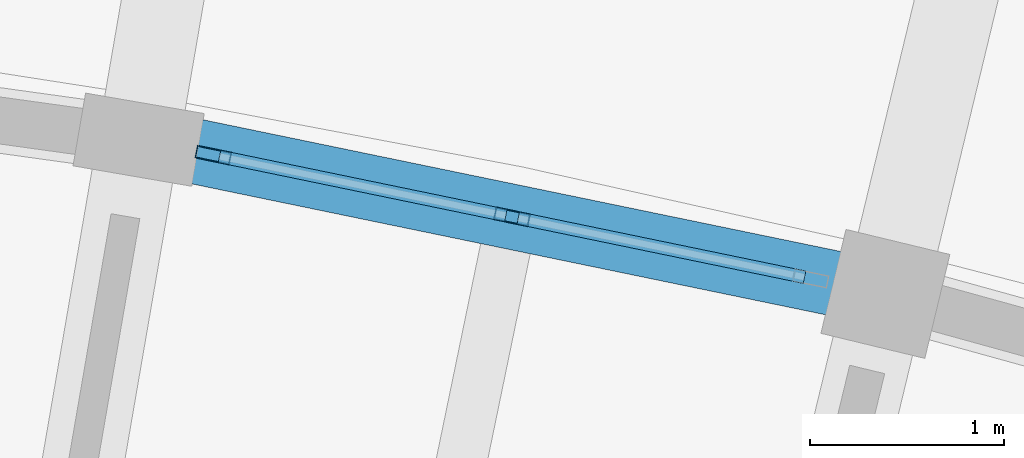
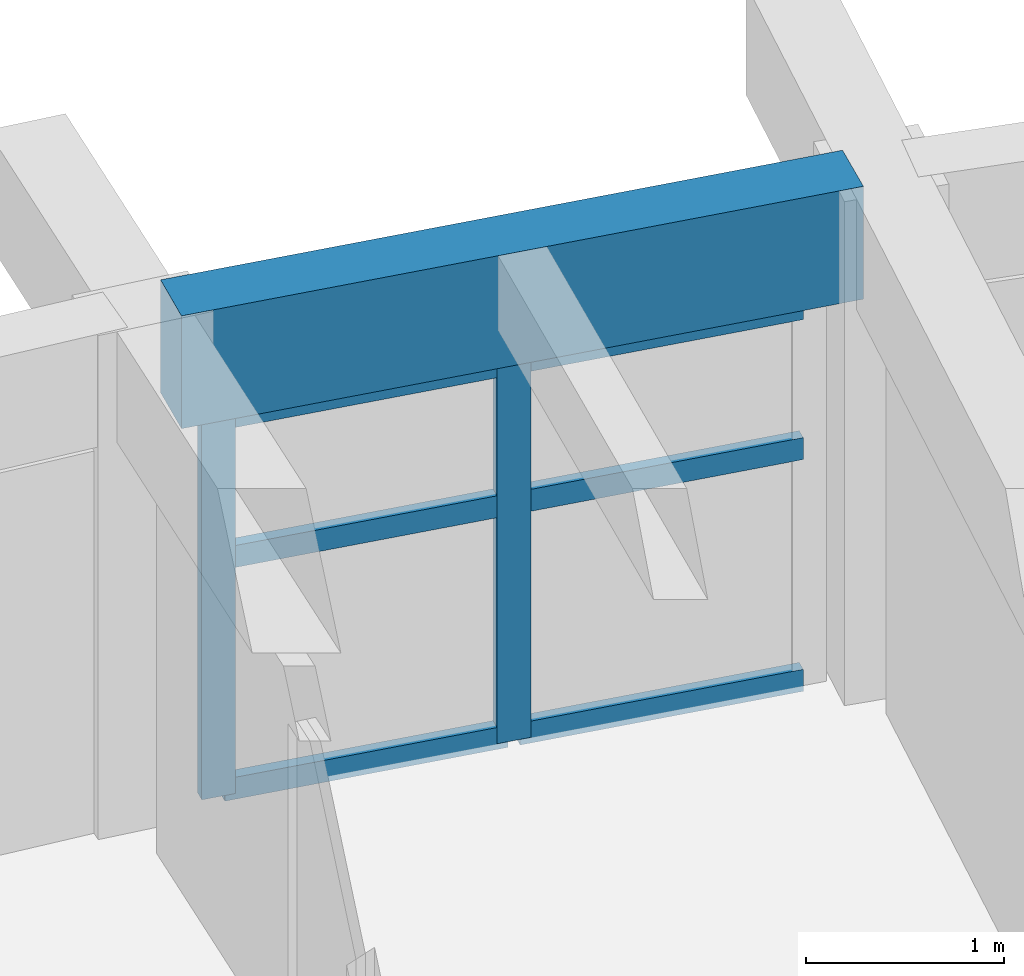
# One storey, part 25 of 96: 8 members, 1 beam, 1 element without a shape of its own.
"""IFC4 building model written with IfcOpenShell, lengths in metres."""

from ifc_helpers import new_model, si_unit, direction, frame, origin, origin_2d, place, context, subcontext, project, spatial, rectangle, hollow_rectangle, extrude, material, material_profile, profile_set, type_object, element, aggregate, save


model = new_model("IFC4")

# Units and contexts
model_context = context("Model", 3, precision=1e-05, world=origin(), true_north=direction((0.0, 1.0)))
body_context = subcontext(model_context, "Body", "Model", "MODEL_VIEW")
ifc_project = project(units=[si_unit("LENGTHUNIT", "METRE"), si_unit("AREAUNIT", "SQUARE_METRE"), si_unit("VOLUMEUNIT", "CUBIC_METRE"), si_unit("PLANEANGLEUNIT", "RADIAN"), si_unit("MASSUNIT", "GRAM", prefix="KILO")], contexts=[model_context])

# Site, building, storey
site_placement = place(None, origin())
site = spatial("IfcSite", under=ifc_project, at=site_placement, CompositionType="ELEMENT")
building_placement = place(site_placement, origin())
building = spatial("IfcBuilding", under=site, at=building_placement, Name="Tanwirah Colonnade Gardens", CompositionType="ELEMENT")
storey_placement = place(building_placement, frame((0.0, 0.0, 12.199951171875)))
storey = spatial("IfcBuildingStorey", under=building, at=storey_placement, Name="L03", CompositionType="ELEMENT", Elevation=12.199951171875)

# Curtain wall, members
ifc_material_1 = material(Name="Bronze-anodised aluminium and solar-control low-E glass", Category="aluminium")
curtain_wall_type = type_object("IfcCurtainWallType", Name="CW-LOB", PredefinedType="NOTDEFINED", material=ifc_material_1)
curtain_wall_placement = place(storey_placement, origin())
curtain_wall = element("IfcCurtainWall", 1, at=curtain_wall_placement, inside=storey, type_object=curtain_wall_type, Name="Curtain Wall CW-B-L03-OUT-16", PredefinedType="NOTDEFINED")
ifc_material_2 = material(Name="Bronze-anodised aluminium", Category="aluminium")
ifc_material_profile_1 = material_profile(ifc_material_2, hollow_rectangle(XDim=0.06494140625, YDim=0.179931640625, WallThickness=0.00390625, at=origin_2d()), Name="CW-MUL 65x180x4")
ifc_profile_set_1 = profile_set([ifc_material_profile_1], Name="Bronze-anodised aluminium")
member_type_1 = type_object("IfcMemberType", Name="CWM-65x180", PredefinedType="MULLION", material=ifc_profile_set_1)
member_1_placement = place(storey_placement, frame((133.035400390625, 118.488037109375, 0.0), z_axis=(0.0, 0.0, 1.0), x_axis=(-0.202218047772, -0.979340523595, 0.0)))
member_1 = element("IfcMember", 2, at=member_1_placement, type_object=member_type_1, Name="CW-LOB mullion 2", PredefinedType="MULLION", context=body_context, shape_type="SweptSolid", body=[
    extrude(hollow_rectangle(XDim=0.06494140625, YDim=0.179931640625, WallThickness=0.00390625, at=origin_2d()), origin(), (0.0, 0.0, 1.0), 2.35498046875),
])
member_2_placement = place(storey_placement, frame((131.49755859375, 118.8056640625, 0.0), z_axis=(0.0, 0.0, 1.0), x_axis=(-0.202218047772, -0.979340523595, 0.0)))
member_2 = element("IfcMember", 3, at=member_2_placement, type_object=member_type_1, Name="CW-LOB mullion 3", PredefinedType="MULLION", context=body_context, shape_type="SweptSolid", body=[
    extrude(hollow_rectangle(XDim=0.06494140625, YDim=0.179931640625, WallThickness=0.00390625, at=origin_2d()), origin(), (0.0, 0.0, 1.0), 2.35498046875),
])
ifc_material_profile_2 = material_profile(ifc_material_2, hollow_rectangle(XDim=0.06494140625, YDim=0.135009765625, WallThickness=0.00390625, at=origin_2d()), Name="CW-TRN 65x135x4")
ifc_profile_set_2 = profile_set([ifc_material_profile_2], Name="Bronze-anodised aluminium")
member_type_2 = type_object("IfcMemberType", Name="CWT-65x135", PredefinedType="USERDEFINED", material=ifc_profile_set_2)
member_3_placement = place(storey_placement, frame((134.54150390625, 118.177001953125, 0.032470703125), z_axis=(-0.97933248515, 0.202256973995, 0.0), x_axis=(-0.202256973995, -0.97933248515, 0.0)))
member_3 = element("IfcMember", 4, at=member_3_placement, type_object=member_type_2, Name="CW-LOB transom 1.1", ObjectType="TRANSOM", PredefinedType="USERDEFINED", context=body_context, shape_type="SweptSolid", body=[
    extrude(hollow_rectangle(XDim=0.06494140625, YDim=0.135009765625, WallThickness=0.00390625, at=origin_2d()), origin(), (0.0, 0.0, 1.0), 1.505126953125),
])
member_4_placement = place(storey_placement, frame((134.54150390625, 118.177001953125, 1.460205078125), z_axis=(-0.97933248515, 0.202256973995, 0.0), x_axis=(-0.202256973995, -0.97933248515, 0.0)))
member_4 = element("IfcMember", 5, at=member_4_placement, type_object=member_type_2, Name="CW-LOB transom 1.2", ObjectType="TRANSOM", PredefinedType="USERDEFINED", context=body_context, shape_type="SweptSolid", body=[
    extrude(hollow_rectangle(XDim=0.06494140625, YDim=0.135009765625, WallThickness=0.00390625, at=origin_2d()), origin(), (0.0, 0.0, 1.0), 1.505126953125),
])
member_5_placement = place(storey_placement, frame((134.54150390625, 118.177001953125, 2.322509765625), z_axis=(-0.97933248515, 0.202256973995, 0.0), x_axis=(-0.202256973995, -0.97933248515, 0.0)))
member_5 = element("IfcMember", 6, at=member_5_placement, type_object=member_type_2, Name="CW-LOB transom 1.3", ObjectType="TRANSOM", PredefinedType="USERDEFINED", context=body_context, shape_type="SweptSolid", body=[
    extrude(hollow_rectangle(XDim=0.06494140625, YDim=0.135009765625, WallThickness=0.00390625, at=origin_2d()), origin(), (0.0, 0.0, 1.0), 1.505126953125),
])
member_6_placement = place(storey_placement, frame((133.003662109375, 118.49462890625, 0.032470703125), z_axis=(-0.97933248515, 0.202256973995, 0.0), x_axis=(-0.202256973995, -0.97933248515, 0.0)))
member_6 = element("IfcMember", 7, at=member_6_placement, type_object=member_type_2, Name="CW-LOB transom 2.1", ObjectType="TRANSOM", PredefinedType="USERDEFINED", context=body_context, shape_type="SweptSolid", body=[
    extrude(hollow_rectangle(XDim=0.06494140625, YDim=0.135009765625, WallThickness=0.00390625, at=origin_2d()), origin(), (0.0, 0.0, 1.0), 1.505126953125),
])
member_7_placement = place(storey_placement, frame((133.003662109375, 118.49462890625, 1.460205078125), z_axis=(-0.97933248515, 0.202256973995, 0.0), x_axis=(-0.202256973995, -0.97933248515, 0.0)))
member_7 = element("IfcMember", 8, at=member_7_placement, type_object=member_type_2, Name="CW-LOB transom 2.2", ObjectType="TRANSOM", PredefinedType="USERDEFINED", context=body_context, shape_type="SweptSolid", body=[
    extrude(hollow_rectangle(XDim=0.06494140625, YDim=0.135009765625, WallThickness=0.00390625, at=origin_2d()), origin(), (0.0, 0.0, 1.0), 1.505126953125),
])
member_8_placement = place(storey_placement, frame((133.003662109375, 118.49462890625, 2.322509765625), z_axis=(-0.97933248515, 0.202256973995, 0.0), x_axis=(-0.202256973995, -0.97933248515, 0.0)))
member_8 = element("IfcMember", 9, at=member_8_placement, type_object=member_type_2, Name="CW-LOB transom 2.3", ObjectType="TRANSOM", PredefinedType="USERDEFINED", context=body_context, shape_type="SweptSolid", body=[
    extrude(hollow_rectangle(XDim=0.06494140625, YDim=0.135009765625, WallThickness=0.00390625, at=origin_2d()), origin(), (0.0, 0.0, 1.0), 1.505126953125),
])
aggregate(curtain_wall, [member_1, member_2, member_3, member_4, member_5, member_6, member_7, member_8])

# Beam
ifc_material_3 = material(Name="Precast concrete C40/50", Category="concrete")
ifc_material_profile_3 = material_profile(ifc_material_3, rectangle(XDim=0.3349609375, YDim=0.695068359375, at=origin_2d()), Name="PC-SP 335x695")
ifc_profile_set_3 = profile_set([ifc_material_profile_3], Name="Precast concrete C40/50")
beam_type = type_object("IfcBeamType", Name="SP-PC300", PredefinedType="SPANDREL", material=ifc_profile_set_3)
beam_placement = place(storey_placement, frame((134.810791015625, 118.121337890625, 2.757568359375), z_axis=(-0.979328544205, 0.202276055197, 0.0), x_axis=(-0.202276055197, -0.979328544205, 0.0)))
element("IfcBeam", 10, at=beam_placement, inside=storey, type_object=beam_type, Name="Block B L03 Circumferential Beam 16-R3", PredefinedType="SPANDREL", context=body_context, shape_type="SweptSolid", body=[
    extrude(rectangle(XDim=0.3349609375, YDim=0.695068359375, at=origin_2d()), origin(), (0.0, 0.0, 1.0), 3.625732421875),
])

save(model, "model.ifc")
